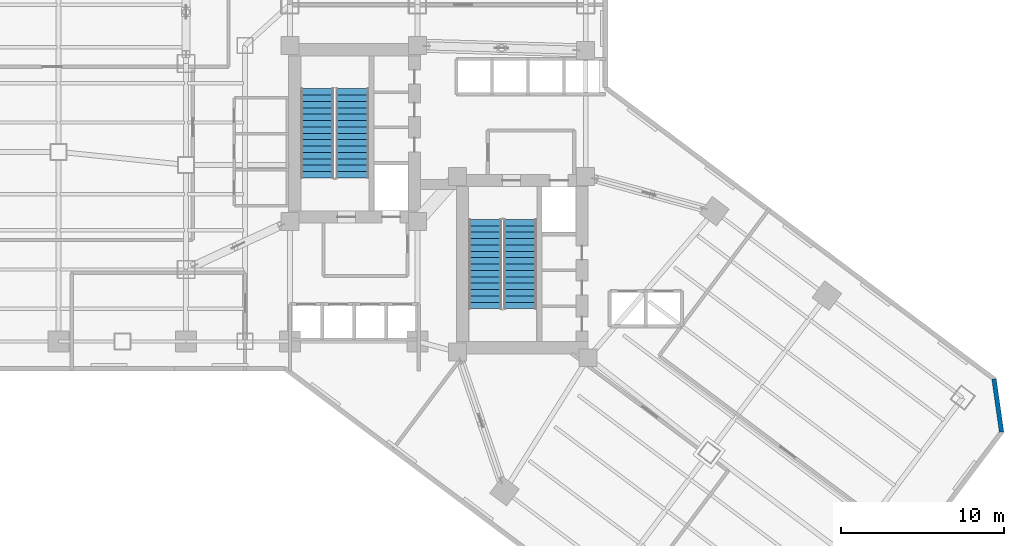
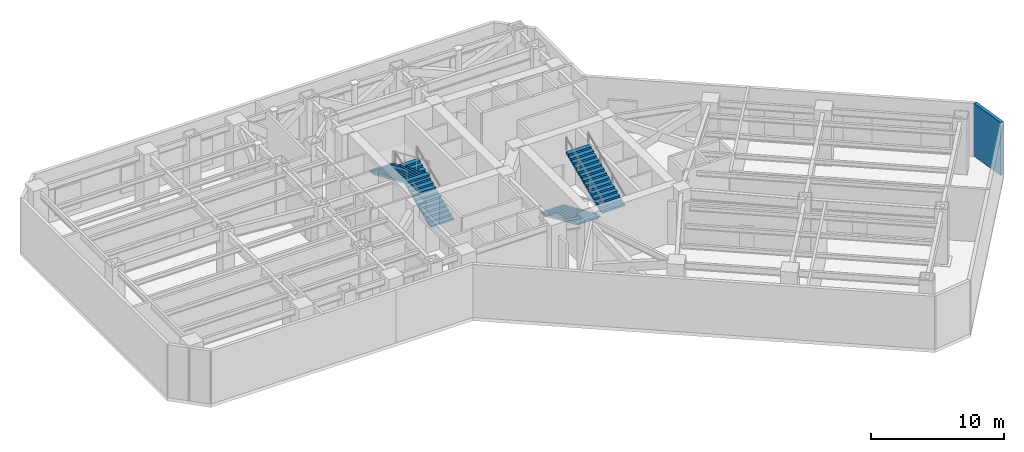
# One storey, part 12 of 16: 4 stair flights, 1 wall, 2 elements without a shape of their own.
"""IFC4 building model written with IfcOpenShell, lengths in metres."""

from ifc_helpers import new_model, si_unit, direction, frame, frame_2d, origin, place, context, subcontext, project, spatial, polyline, rectangle, outline, extrude, material, layer, layer_set, type_object, element, aggregate, save


model = new_model("IFC4")

# Units and contexts
model_context = context("Model", 3, precision=1e-05, world=origin(), true_north=direction((0.0, 1.0)))
body_context = subcontext(model_context, "Body", "Model", "MODEL_VIEW")
ifc_project = project(units=[si_unit("LENGTHUNIT", "METRE"), si_unit("AREAUNIT", "SQUARE_METRE"), si_unit("VOLUMEUNIT", "CUBIC_METRE"), si_unit("PLANEANGLEUNIT", "RADIAN"), si_unit("MASSUNIT", "GRAM", prefix="KILO")], contexts=[model_context])

# Site, building, storey
site_placement = place(None, origin())
site = spatial("IfcSite", under=ifc_project, at=site_placement, CompositionType="ELEMENT")
building_placement = place(site_placement, origin())
building = spatial("IfcBuilding", under=site, at=building_placement, Name="Hatsunagi Terrace Concourse", CompositionType="ELEMENT")
storey_placement = place(building_placement, frame((0.0, 0.0, 27.0)))
storey = spatial("IfcBuildingStorey", under=building, at=storey_placement, Name="L06", CompositionType="ELEMENT", Elevation=27.0)

# Wall
ifc_material_1 = material(Name="Autoclaved Lightweight Concrete and Terracotta Cladding", Category="masonry")
ifc_layer = layer(ifc_material_1, 0.280029296875)
ifc_layer_set = layer_set([ifc_layer], Name="TerracottaSpandrelWall_280")
wall_type = type_object("IfcWallType", Name="TerracottaSpandrelWall_280", PredefinedType="STANDARD", material=ifc_layer_set)
wall_placement = place(storey_placement, frame((68.6298828125, 22.903076171875, 0.0), z_axis=(0.0, 0.0, 1.0), x_axis=(0.141285803956, -0.989968848803, 0.0)))
element("IfcWall", 1, at=wall_placement, inside=storey, type_object=wall_type, Name="Exterior Spandrel Wall EW-L06-02", PredefinedType="STANDARD", context=body_context, shape_type="SweptSolid", body=[
    extrude(rectangle(XDim=3.278076171875, YDim=0.280029296875, at=frame_2d((1.63916015625, 0.0))), origin(), (0.0, 0.0, 1.0), 4.8798828125),
])

# Stair, stair flights
ifc_material_2 = material(Name="Concrete Fc42", Category="concrete")
stair_type = type_object("IfcStairType", Name="DoglegExitStair_Tower2000_30R_170", PredefinedType="HALF_TURN_STAIR", material=ifc_material_2)
stair_1_placement = place(storey_placement, origin())
stair_1 = element("IfcStair", 2, at=stair_1_placement, inside=storey, type_object=stair_type, Name="L06 Core A Protected Exit Stair ST-A", PredefinedType="HALF_TURN_STAIR")
ifc_material_3 = material(Name="Concrete Fc42", Category="concrete")
stair_flight_type = type_object("IfcStairFlightType", Name="DoglegStairFlight_Tower2000_30R_170", PredefinedType="STRAIGHT", material=ifc_material_3)
stair_flight_1_placement = place(storey_placement, frame((29.3798828125, 35.199951171875, 0.0), z_axis=(0.0, 0.0, 1.0), x_axis=(0.0, 1.0, 0.0)))
stair_flight_1 = element("IfcStairFlight", 3, at=stair_flight_1_placement, type_object=stair_flight_type, Name="ST-A flight 1", NumberOfRisers=15, NumberOfTreads=14, PredefinedType="STRAIGHT", RiserHeight=0.17, TreadLength=0.39, context=body_context, shape_type="SweptSolid", body=[
    extrude(outline(polyline([(0.0, 0.0), (0.0, 0.169921875), (0.389892578125, 0.169921875), (0.389892578125, 0.340087890625), (0.780029296875, 0.340087890625), (0.780029296875, 0.510009765625), (1.169921875, 0.510009765625), (1.169921875, 0.679931640625), (1.56005859375, 0.679931640625), (1.56005859375, 0.85009765625), (1.949951171875, 0.85009765625), (1.949951171875, 1.02001953125), (2.340087890625, 1.02001953125), (2.340087890625, 1.18994140625), (2.72998046875, 1.18994140625), (2.72998046875, 1.360107421875), (3.1201171875, 1.360107421875), (3.1201171875, 1.530029296875), (3.510009765625, 1.530029296875), (3.510009765625, 1.699951171875), (3.89990234375, 1.699951171875), (3.89990234375, 1.8701171875), (4.2900390625, 1.8701171875), (4.2900390625, 2.0400390625), (4.679931640625, 2.0400390625), (4.679931640625, 2.2099609375), (5.070068359375, 2.2099609375), (5.070068359375, 2.3798828125), (5.4599609375, 2.3798828125), (5.4599609375, 2.550048828125), (5.4599609375, 2.216552734375), (0.375244140625, 0.0), (0.0, 0.0)])), frame((0.0, 1.0, 0.0), z_axis=(0.0, -1.0, 0.0), x_axis=(1.0, 0.0, 0.0)), (0.0, 0.0, 1.0), 2.0),
])
stair_flight_2_placement = place(storey_placement, frame((27.22998046875, 40.659912109375, 2.550048828125), z_axis=(0.0, 0.0, 1.0), x_axis=(0.0, -1.0, 0.0)))
stair_flight_2 = element("IfcStairFlight", 4, at=stair_flight_2_placement, type_object=stair_flight_type, Name="ST-A flight 2", NumberOfRisers=15, NumberOfTreads=14, PredefinedType="STRAIGHT", RiserHeight=0.17, TreadLength=0.39, context=body_context, shape_type="SweptSolid", body=[
    extrude(outline(polyline([(0.0, 0.0), (0.0, 0.169921875), (0.389892578125, 0.169921875), (0.389892578125, 0.340087890625), (0.780029296875, 0.340087890625), (0.780029296875, 0.510009765625), (1.169921875, 0.510009765625), (1.169921875, 0.679931640625), (1.56005859375, 0.679931640625), (1.56005859375, 0.85009765625), (1.949951171875, 0.85009765625), (1.949951171875, 1.02001953125), (2.340087890625, 1.02001953125), (2.340087890625, 1.18994140625), (2.72998046875, 1.18994140625), (2.72998046875, 1.360107421875), (3.1201171875, 1.360107421875), (3.1201171875, 1.530029296875), (3.510009765625, 1.530029296875), (3.510009765625, 1.699951171875), (3.89990234375, 1.699951171875), (3.89990234375, 1.8701171875), (4.2900390625, 1.8701171875), (4.2900390625, 2.0400390625), (4.679931640625, 2.0400390625), (4.679931640625, 2.2099609375), (5.070068359375, 2.2099609375), (5.070068359375, 2.3798828125), (5.4599609375, 2.3798828125), (5.4599609375, 2.550048828125), (5.4599609375, 2.216552734375), (0.375244140625, 0.0), (0.0, 0.0)])), frame((0.0, 1.0, 0.0), z_axis=(0.0, -1.0, 0.0), x_axis=(1.0, 0.0, 0.0)), (0.0, 0.0, 1.0), 2.0),
])
aggregate(stair_1, [stair_flight_1, stair_flight_2])

stair_2_placement = place(storey_placement, origin())
stair_2 = element("IfcStair", 5, at=stair_2_placement, inside=storey, type_object=stair_type, Name="L06 Core B Protected Exit Stair ST-B", PredefinedType="HALF_TURN_STAIR")
stair_flight_3_placement = place(storey_placement, frame((37.5, 32.659912109375, 0.0), z_axis=(0.0, 0.0, 1.0), x_axis=(0.0, -1.0, 0.0)))
stair_flight_3 = element("IfcStairFlight", 6, at=stair_flight_3_placement, type_object=stair_flight_type, Name="ST-B flight 1", NumberOfRisers=15, NumberOfTreads=14, PredefinedType="STRAIGHT", RiserHeight=0.17, TreadLength=0.39, context=body_context, shape_type="SweptSolid", body=[
    extrude(outline(polyline([(0.0, 0.0), (0.0, 0.169921875), (0.389892578125, 0.169921875), (0.389892578125, 0.340087890625), (0.780029296875, 0.340087890625), (0.780029296875, 0.510009765625), (1.169921875, 0.510009765625), (1.169921875, 0.679931640625), (1.56005859375, 0.679931640625), (1.56005859375, 0.85009765625), (1.949951171875, 0.85009765625), (1.949951171875, 1.02001953125), (2.340087890625, 1.02001953125), (2.340087890625, 1.18994140625), (2.72998046875, 1.18994140625), (2.72998046875, 1.360107421875), (3.1201171875, 1.360107421875), (3.1201171875, 1.530029296875), (3.510009765625, 1.530029296875), (3.510009765625, 1.699951171875), (3.89990234375, 1.699951171875), (3.89990234375, 1.8701171875), (4.2900390625, 1.8701171875), (4.2900390625, 2.0400390625), (4.679931640625, 2.0400390625), (4.679931640625, 2.2099609375), (5.070068359375, 2.2099609375), (5.070068359375, 2.3798828125), (5.4599609375, 2.3798828125), (5.4599609375, 2.550048828125), (5.4599609375, 2.216552734375), (0.375244140625, 0.0), (0.0, 0.0)])), frame((0.0, 1.0, 0.0), z_axis=(0.0, -1.0, 0.0), x_axis=(1.0, 0.0, 0.0)), (0.0, 0.0, 1.0), 2.0),
])
stair_flight_4_placement = place(storey_placement, frame((39.64990234375, 27.199951171875, 2.550048828125), z_axis=(0.0, 0.0, 1.0), x_axis=(0.0, 1.0, 0.0)))
stair_flight_4 = element("IfcStairFlight", 7, at=stair_flight_4_placement, type_object=stair_flight_type, Name="ST-B flight 2", NumberOfRisers=15, NumberOfTreads=14, PredefinedType="STRAIGHT", RiserHeight=0.17, TreadLength=0.39, context=body_context, shape_type="SweptSolid", body=[
    extrude(outline(polyline([(0.0, 0.0), (0.0, 0.169921875), (0.389892578125, 0.169921875), (0.389892578125, 0.340087890625), (0.780029296875, 0.340087890625), (0.780029296875, 0.510009765625), (1.169921875, 0.510009765625), (1.169921875, 0.679931640625), (1.56005859375, 0.679931640625), (1.56005859375, 0.85009765625), (1.949951171875, 0.85009765625), (1.949951171875, 1.02001953125), (2.340087890625, 1.02001953125), (2.340087890625, 1.18994140625), (2.72998046875, 1.18994140625), (2.72998046875, 1.360107421875), (3.1201171875, 1.360107421875), (3.1201171875, 1.530029296875), (3.510009765625, 1.530029296875), (3.510009765625, 1.699951171875), (3.89990234375, 1.699951171875), (3.89990234375, 1.8701171875), (4.2900390625, 1.8701171875), (4.2900390625, 2.0400390625), (4.679931640625, 2.0400390625), (4.679931640625, 2.2099609375), (5.070068359375, 2.2099609375), (5.070068359375, 2.3798828125), (5.4599609375, 2.3798828125), (5.4599609375, 2.550048828125), (5.4599609375, 2.216552734375), (0.375244140625, 0.0), (0.0, 0.0)])), frame((0.0, 1.0, 0.0), z_axis=(0.0, -1.0, 0.0), x_axis=(1.0, 0.0, 0.0)), (0.0, 0.0, 1.0), 2.0),
])
aggregate(stair_2, [stair_flight_3, stair_flight_4])

save(model, "model.ifc")
